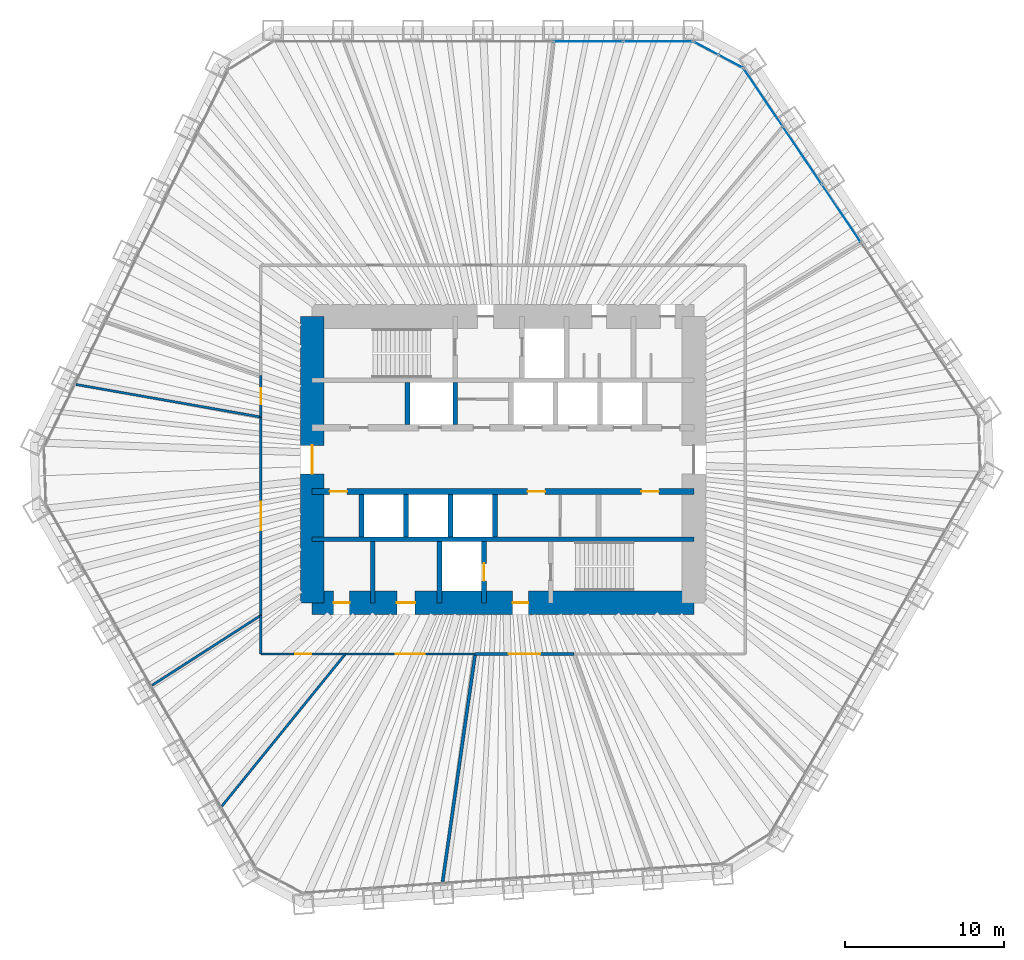
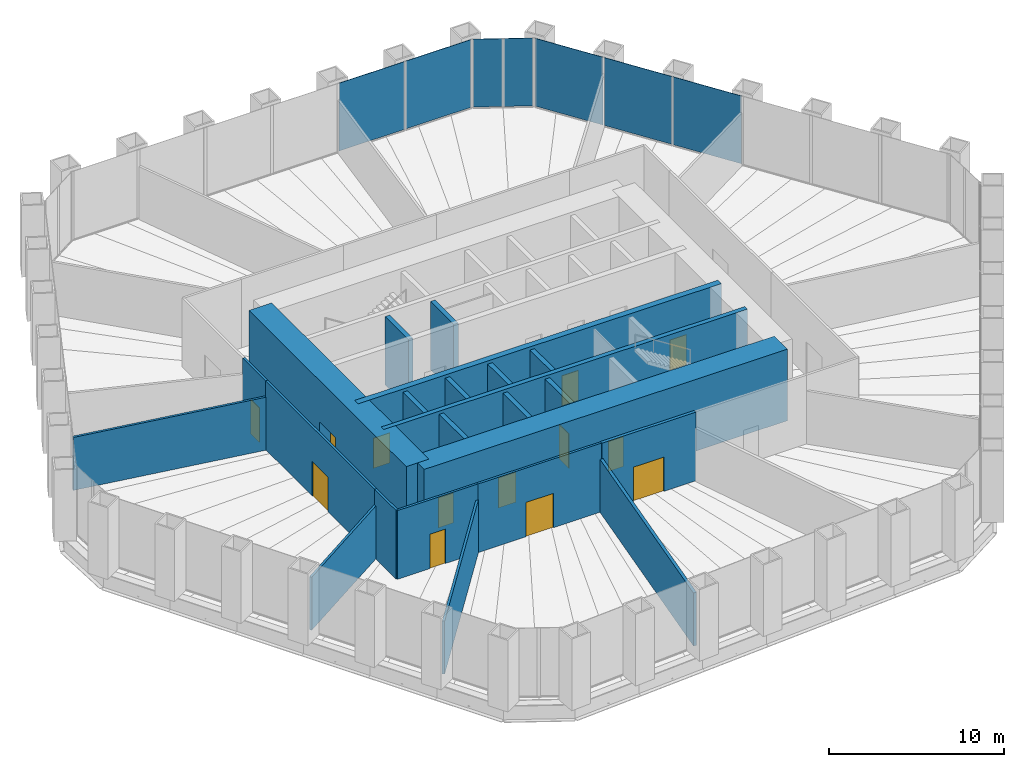
# One storey, part 10 of 13: 23 walls, 13 doors, 7 plates, 13 openings, 3 elements without a shape of their own.
"""IFC4 building model written with IfcOpenShell, lengths in metres."""

from ifc_helpers import new_model, si_unit, direction, frame, frame_2d, origin, origin_2d, place, context, subcontext, project, spatial, rectangle, extrude, material, layer, layer_set, type_object, element, fill, aggregate, save


model = new_model("IFC4")

# Units and contexts
model_context = context("Model", 3, precision=1e-05, world=origin(), true_north=direction((0.0, 1.0)))
body_context = subcontext(model_context, "Body", "Model", "MODEL_VIEW")
ifc_project = project(units=[si_unit("LENGTHUNIT", "METRE"), si_unit("AREAUNIT", "SQUARE_METRE"), si_unit("VOLUMEUNIT", "CUBIC_METRE"), si_unit("PLANEANGLEUNIT", "RADIAN"), si_unit("MASSUNIT", "GRAM", prefix="KILO")], contexts=[model_context])

# Site, building, storey
site_placement = place(None, origin())
site = spatial("IfcSite", under=ifc_project, at=site_placement, CompositionType="ELEMENT")
building_placement = place(site_placement, origin())
building = spatial("IfcBuilding", under=site, at=building_placement, Name="Qingtian Harvest Tower", CompositionType="ELEMENT")
storey_placement = place(building_placement, frame((0.0, 0.0, 87.0)))
storey = spatial("IfcBuildingStorey", under=building, at=storey_placement, Name="L17", CompositionType="ELEMENT", Elevation=87.0)

# Curtain wall, plates
ifc_material_1 = material(Name="Bronze-anodised aluminium curtain wall", Category="aluminium")
curtain_wall_type = type_object("IfcCurtainWallType", Name="Curtain wall CW2 farm reception", PredefinedType="USERDEFINED", material=ifc_material_1)
curtain_wall_1_placement = place(storey_placement, origin())
curtain_wall_1 = element("IfcCurtainWall", 1, at=curtain_wall_1_placement, inside=storey, type_object=curtain_wall_type, Name="Curtain wall CW2 L17 N0-5", ObjectType="RECESSED CURTAIN WALL", PredefinedType="USERDEFINED")
ifc_material_2 = material(Name="Bronze-tinted laminated insulating glass", Category="glass")
ifc_layer_1 = layer(ifc_material_2, 0.030029296875)
ifc_layer_set_1 = layer_set([ifc_layer_1], Name="Glazed panel CWP tinted IGU")
plate_type = type_object("IfcPlateType", Name="Glazed panel CWP tinted IGU", PredefinedType="CURTAIN_PANEL", material=ifc_layer_set_1)
plate_1_placement = place(storey_placement, frame((5.349365234375, 26.300048828125, 0.06494140625), z_axis=(0.0, 0.0, 1.0), x_axis=(1.0, 0.0, 0.0)))
plate_1 = element("IfcPlate", 2, at=plate_1_placement, type_object=plate_type, Name="CW2 panel 5.1", PredefinedType="CURTAIN_PANEL", context=body_context, shape_type="SweptSolid", body=[
    extrude(rectangle(XDim=4.339599609375, YDim=0.030029296875, at=origin_2d()), origin(), (0.0, 0.0, 1.0), 4.735107421875),
])
plate_2_placement = place(storey_placement, frame((9.737548828125, 26.300048828125, 0.06494140625), z_axis=(0.0, 0.0, 1.0), x_axis=(1.0, 0.0, 0.0)))
plate_2 = element("IfcPlate", 3, at=plate_2_placement, type_object=plate_type, Name="CW2 panel 6.1", PredefinedType="CURTAIN_PANEL", context=body_context, shape_type="SweptSolid", body=[
    extrude(rectangle(XDim=4.30712890625, YDim=0.030029296875, at=origin_2d()), origin(), (0.0, 0.0, 1.0), 4.735107421875),
])
aggregate(curtain_wall_1, [plate_1, plate_2])

curtain_wall_2_placement = place(storey_placement, origin())
curtain_wall_2 = element("IfcCurtainWall", 4, at=curtain_wall_2_placement, inside=storey, type_object=curtain_wall_type, Name="Curtain wall CW2 L17 NC", ObjectType="RECESSED CURTAIN WALL", PredefinedType="USERDEFINED")
plate_3_placement = place(storey_placement, frame((12.760986328125, 25.8720703125, 0.06494140625), z_axis=(0.0, 0.0, 1.0), x_axis=(0.882947592859, -0.469471562786, 0.0)))
plate_3 = element("IfcPlate", 5, at=plate_3_placement, type_object=plate_type, Name="CW2 panel 1.1", PredefinedType="CURTAIN_PANEL", context=body_context, shape_type="SweptSolid", body=[
    extrude(rectangle(XDim=1.69287109375, YDim=0.030029296875, at=origin_2d()), origin(), (0.0, 0.0, 1.0), 4.735107421875),
])
plate_4_placement = place(storey_placement, frame((14.31298828125, 25.046875, 0.06494140625), z_axis=(0.0, 0.0, 1.0), x_axis=(0.882947592859, -0.469471562786, 0.0)))
plate_4 = element("IfcPlate", 6, at=plate_4_placement, type_object=plate_type, Name="CW2 panel 2.1", PredefinedType="CURTAIN_PANEL", context=body_context, shape_type="SweptSolid", body=[
    extrude(rectangle(XDim=1.69287109375, YDim=0.030029296875, at=origin_2d()), origin(), (0.0, 0.0, 1.0), 4.735107421875),
])
aggregate(curtain_wall_2, [plate_3, plate_4])

curtain_wall_3_placement = place(storey_placement, origin())
curtain_wall_3 = element("IfcCurtainWall", 7, at=curtain_wall_3_placement, inside=storey, type_object=curtain_wall_type, Name="Curtain wall CW2 L17 NE0-5", ObjectType="RECESSED CURTAIN WALL", PredefinedType="USERDEFINED")
plate_5_placement = place(storey_placement, frame((16.3583984375, 22.779541015625, 0.06494140625), z_axis=(0.0, 0.0, 1.0), x_axis=(0.559192903471, -0.829037572555, 0.0)))
plate_5 = element("IfcPlate", 8, at=plate_5_placement, type_object=plate_type, Name="CW2 panel 1.1", PredefinedType="CURTAIN_PANEL", context=body_context, shape_type="SweptSolid", body=[
    extrude(rectangle(XDim=4.30712890625, YDim=0.030029296875, at=origin_2d()), origin(), (0.0, 0.0, 1.0), 4.735107421875),
])
plate_6_placement = place(storey_placement, frame((18.8125, 19.1416015625, 0.06494140625), z_axis=(0.0, 0.0, 1.0), x_axis=(0.559192903471, -0.829037572555, 0.0)))
plate_6 = element("IfcPlate", 9, at=plate_6_placement, type_object=plate_type, Name="CW2 panel 2.1", PredefinedType="CURTAIN_PANEL", context=body_context, shape_type="SweptSolid", body=[
    extrude(rectangle(XDim=4.339599609375, YDim=0.030029296875, at=origin_2d()), origin(), (0.0, 0.0, 1.0), 4.735107421875),
])
plate_7_placement = place(storey_placement, frame((21.275390625, 15.489990234375, 0.06494140625), z_axis=(0.0, 0.0, 1.0), x_axis=(0.559192903471, -0.829037572555, 0.0)))
plate_7 = element("IfcPlate", 10, at=plate_7_placement, type_object=plate_type, Name="CW2 panel 3.1", PredefinedType="CURTAIN_PANEL", context=body_context, shape_type="SweptSolid", body=[
    extrude(rectangle(XDim=4.339599609375, YDim=0.030029296875, at=origin_2d()), origin(), (0.0, 0.0, 1.0), 4.735107421875),
])
aggregate(curtain_wall_3, [plate_5, plate_6, plate_7])

# Wall
ifc_material_3 = material(Name="Concrete fc' 70 MPa", Category="concrete")
ifc_layer_2 = layer(ifc_material_3, 0.300048828125)
ifc_layer_set_2 = layer_set([ifc_layer_2], Name="Core inner wall RC5 300")
wall_type_1 = type_object("IfcWallType", Name="Core inner wall RC5 300", PredefinedType="SHEAR", material=ifc_layer_set_2)
wall_1_placement = place(storey_placement, frame((-12.0, -5.0, 0.0), z_axis=(0.0, 0.0, 1.0), x_axis=(1.0, 0.0, 0.0)))
element("IfcWall", 11, at=wall_1_placement, inside=storey, type_object=wall_type_1, Name="Core wall IS5 L17", PredefinedType="SHEAR", context=body_context, shape_type="SweptSolid", body=[
    extrude(rectangle(XDim=24.0, YDim=0.300048828125, at=frame_2d((12.0, 0.0))), origin(), (0.0, 0.0, 1.0), 5.0),
])

# Wall, openings, doors
ifc_material_4 = material(Name="Concrete fc' 70 MPa", Category="concrete")
ifc_layer_3 = layer(ifc_material_4, 0.39990234375)
ifc_layer_set_3 = layer_set([ifc_layer_3], Name="Core inner web RC6 400")
wall_type_2 = type_object("IfcWallType", Name="Core inner web RC6 400", PredefinedType="SHEAR", material=ifc_layer_set_3)
wall_2_placement = place(storey_placement, frame((-12.0, -2.0, 0.0), z_axis=(0.0, 0.0, 1.0), x_axis=(1.0, 0.0, 0.0)))
wall_2 = element("IfcWall", 12, at=wall_2_placement, inside=storey, type_object=wall_type_2, Name="Core wall IS2 L17", PredefinedType="SHEAR", context=body_context, shape_type="SweptSolid", body=[
    extrude(rectangle(XDim=24.0, YDim=0.39990234375, at=frame_2d((12.0, 0.0))), origin(), (0.0, 0.0, 1.0), 5.0),
])
opening_1_placement = place(wall_2_placement, frame((1.10009765625, 0.0, 0.0)))
opening_1 = element("IfcOpeningElement", 13, at=opening_1_placement, cuts=wall_2, Name="Opening FD4", PredefinedType="OPENING", context=body_context, shape_type="SweptSolid", body=[
    extrude(rectangle(XDim=1.10009765625, YDim=2.10009765625, at=frame_2d((0.550048828125, 1.050048828125))), frame((0.0, 0.2099609375, 0.0), z_axis=(0.0, -1.0, 0.0), x_axis=(1.0, 0.0, 0.0)), (0.0, 0.0, 1.0), 0.419921875),
])
opening_2_placement = place(wall_2_placement, frame((13.550048828125, 0.0, 0.0)))
opening_2 = element("IfcOpeningElement", 14, at=opening_2_placement, cuts=wall_2, Name="Opening FD4", PredefinedType="OPENING", context=body_context, shape_type="SweptSolid", body=[
    extrude(rectangle(XDim=1.10009765625, YDim=2.10009765625, at=frame_2d((0.550048828125, 1.050048828125))), frame((0.0, 0.2099609375, 0.0), z_axis=(0.0, -1.0, 0.0), x_axis=(1.0, 0.0, 0.0)), (0.0, 0.0, 1.0), 0.419921875),
])
opening_3_placement = place(wall_2_placement, frame((20.699951171875, 0.0, 0.0)))
opening_3 = element("IfcOpeningElement", 15, at=opening_3_placement, cuts=wall_2, Name="Opening FD4", PredefinedType="OPENING", context=body_context, shape_type="SweptSolid", body=[
    extrude(rectangle(XDim=1.10009765625, YDim=2.10009765625, at=frame_2d((0.550048828125, 1.050048828125))), frame((0.0, 0.2099609375, 0.0), z_axis=(0.0, -1.0, 0.0), x_axis=(1.0, 0.0, 0.0)), (0.0, 0.0, 1.0), 0.419921875),
])
ifc_material_5 = material(Name="Steel-faced door leaf", Category="steel")
door_type_1 = type_object("IfcDoorType", Name="Fire door FD4 single 2 HR", OperationType="SINGLE_SWING_LEFT", PredefinedType="DOOR", material=ifc_material_5)
door_1_placement = place(opening_1_placement, origin())
door_1 = element("IfcDoor", 16, at=door_1_placement, inside=storey, type_object=door_type_1, Name="RB door L17", OperationType="SINGLE_SWING_RIGHT", OverallHeight=2.10009765625, OverallWidth=1.10009765625, PredefinedType="DOOR", context=body_context, shape_type="SweptSolid", body=[
    extrude(rectangle(XDim=1.10009765625, YDim=2.10009765625, at=frame_2d((0.550048828125, 1.050048828125))), frame((0.0, 0.02490234375, 0.0), z_axis=(0.0, -1.0, 0.0), x_axis=(1.0, 0.0, 0.0)), (0.0, 0.0, 1.0), 0.050048828125),
])
fill(opening_1, door_1)
door_2_placement = place(opening_2_placement, origin())
door_2 = element("IfcDoor", 17, at=door_2_placement, inside=storey, type_object=door_type_1, Name="ELEC door L17", OperationType="SINGLE_SWING_RIGHT", OverallHeight=2.10009765625, OverallWidth=1.10009765625, PredefinedType="DOOR", context=body_context, shape_type="SweptSolid", body=[
    extrude(rectangle(XDim=1.10009765625, YDim=2.10009765625, at=frame_2d((0.550048828125, 1.050048828125))), frame((0.0, 0.02490234375, 0.0), z_axis=(0.0, -1.0, 0.0), x_axis=(1.0, 0.0, 0.0)), (0.0, 0.0, 1.0), 0.050048828125),
])
fill(opening_2, door_2)
door_3_placement = place(opening_3_placement, origin())
door_3 = element("IfcDoor", 18, at=door_3_placement, inside=storey, type_object=door_type_1, Name="DUCT door L17", OperationType="SINGLE_SWING_LEFT", OverallHeight=2.10009765625, OverallWidth=1.10009765625, PredefinedType="DOOR", context=body_context, shape_type="SweptSolid", body=[
    extrude(rectangle(XDim=1.10009765625, YDim=2.10009765625, at=frame_2d((0.550048828125, 1.050048828125))), frame((0.0, 0.02490234375, 0.0), z_axis=(0.0, -1.0, 0.0), x_axis=(1.0, 0.0, 0.0)), (0.0, 0.0, 1.0), 0.050048828125),
])
fill(opening_3, door_3)

# Walls
ifc_material_6 = material(Name="Precast concrete shaft panel", Category="concrete")
ifc_layer_4 = layer(ifc_material_6, 0.300048828125)
ifc_layer_set_4 = layer_set([ifc_layer_4], Name="Core shaft partition SW1 300")
wall_type_3 = type_object("IfcWallType", Name="Core shaft partition SW1 300", PredefinedType="PARTITIONING", material=ifc_layer_set_4)
for number, where, z_axis, x_axis, name in (
    (19, (-6.0, 2.199951171875, 0.0), (0.0, 0.0, 1.0), (0.0, 1.0, 0.0), "Core shaft partition XA1 L17"),
    (20, (-3.0, 2.199951171875, 0.0), (0.0, 0.0, 1.0), (0.0, 1.0, 0.0), "Core shaft partition XA2 L17"),
    (21, (-8.89990234375, -4.85009765625, 0.0), (0.0, 0.0, 1.0), (0.0, 1.0, 0.0), "Core shaft partition XB1 L17"),
    (22, (-6.10009765625, -4.85009765625, 0.0), (0.0, 0.0, 1.0), (0.0, 1.0, 0.0), "Core shaft partition XB2 L17"),
    (23, (-3.300048828125, -4.85009765625, 0.0), (0.0, 0.0, 1.0), (0.0, 1.0, 0.0), "Core shaft partition XB3 L17"),
    (24, (-0.5, -4.85009765625, 0.0), (0.0, 0.0, 1.0), (0.0, 1.0, 0.0), "Core shaft partition XB4 L17"),
):
    element("IfcWall", number, at=place(storey_placement, frame(where, z_axis=z_axis, x_axis=x_axis)), inside=storey, type_object=wall_type_3, Name=name, PredefinedType="PARTITIONING", context=body_context, shape_type="SweptSolid", body=[
        extrude(rectangle(XDim=2.650146484375, YDim=0.300048828125, at=frame_2d((1.3251953125, 0.0))), origin(), (0.0, 0.0, 1.0), 4.780029296875),
    ])
for number, where, z_axis, x_axis, name in (
    (25, (-8.199951171875, -9.0, 0.0), (0.0, 0.0, 1.0), (0.0, 1.0, 0.0), "Core shaft partition XS1 L17"),
    (26, (-4.0, -9.0, 0.0), (0.0, 0.0, 1.0), (0.0, 1.0, 0.0), "Core shaft partition XS2 L17"),
):
    element("IfcWall", number, at=place(storey_placement, frame(where, z_axis=z_axis, x_axis=x_axis)), inside=storey, type_object=wall_type_3, Name=name, PredefinedType="PARTITIONING", context=body_context, shape_type="SweptSolid", body=[
        extrude(rectangle(XDim=3.85009765625, YDim=0.300048828125, at=frame_2d((1.925048828125, 0.0))), origin(), (0.0, 0.0, 1.0), 4.780029296875),
    ])

# Wall, opening, door
wall_3_placement = place(storey_placement, frame((-1.199951171875, -9.0, 0.0), z_axis=(0.0, 0.0, 1.0), x_axis=(0.0, 1.0, 0.0)))
wall_3 = element("IfcWall", 27, at=wall_3_placement, inside=storey, type_object=wall_type_3, Name="Core shaft partition XS3 L17", PredefinedType="PARTITIONING", context=body_context, shape_type="SweptSolid", body=[
    extrude(rectangle(XDim=3.85009765625, YDim=0.300048828125, at=frame_2d((1.925048828125, 0.0))), origin(), (0.0, 0.0, 1.0), 4.780029296875),
])
opening_4_placement = place(wall_3_placement, frame((1.375, 0.0, 0.0)))
opening_4 = element("IfcOpeningElement", 28, at=opening_4_placement, cuts=wall_3, Name="Opening LD1", PredefinedType="OPENING", context=body_context, shape_type="SweptSolid", body=[
    extrude(rectangle(XDim=1.10009765625, YDim=2.39990234375, at=frame_2d((0.550048828125, 1.199951171875))), frame((0.0, 0.159912109375, 0.0), z_axis=(0.0, -1.0, 0.0), x_axis=(1.0, 0.0, 0.0)), (0.0, 0.0, 1.0), 0.320068359375),
])
ifc_material_7 = material(Name="Stainless steel lift landing door", Category="steel")
door_type_2 = type_object("IfcDoorType", Name="Lift landing door LD1 1 HR", OperationType="DOUBLE_DOOR_SLIDING", PredefinedType="DOOR", material=ifc_material_7)
door_4_placement = place(opening_4_placement, origin())
door_4 = element("IfcDoor", 29, at=door_4_placement, inside=storey, type_object=door_type_2, Name="FL2 landing door L17", OperationType="DOUBLE_DOOR_SLIDING", OverallHeight=2.39990234375, OverallWidth=1.10009765625, PredefinedType="DOOR", context=body_context, shape_type="SweptSolid", body=[
    extrude(rectangle(XDim=1.10009765625, YDim=2.39990234375, at=frame_2d((0.550048828125, 1.199951171875))), frame((0.0, 0.02490234375, 0.0), z_axis=(0.0, -1.0, 0.0), x_axis=(1.0, 0.0, 0.0)), (0.0, 0.0, 1.0), 0.050048828125),
])
fill(opening_4, door_4)

# Wall, openings, doors
ifc_material_8 = material(Name="Concrete fc' 70 MPa", Category="concrete")
ifc_layer_5 = layer(ifc_material_8, 1.5)
ifc_layer_set_5 = layer_set([ifc_layer_5], Name="Core wall RC1 1500")
wall_type_4 = type_object("IfcWallType", Name="Core wall RC1 1500", PredefinedType="SHEAR", material=ifc_layer_set_5)
wall_4_placement = place(storey_placement, frame((-12.0, -9.0, 0.0), z_axis=(0.0, 0.0, 1.0), x_axis=(1.0, 0.0, 0.0)))
wall_4 = element("IfcWall", 30, at=wall_4_placement, inside=storey, type_object=wall_type_4, Name="Core wall CS L17", PredefinedType="SHEAR", context=body_context, shape_type="SweptSolid", body=[
    extrude(rectangle(XDim=24.0, YDim=1.5, at=frame_2d((12.0, 0.0))), origin(), (0.0, 0.0, 1.0), 5.0),
])
opening_5_placement = place(wall_4_placement, frame((1.35009765625, 0.0, 0.0)))
opening_5 = element("IfcOpeningElement", 31, at=opening_5_placement, cuts=wall_4, Name="Opening FD1", PredefinedType="OPENING", context=body_context, shape_type="SweptSolid", body=[
    extrude(rectangle(XDim=1.0, YDim=2.10009765625, at=frame_2d((0.5, 1.050048828125))), frame((0.0, 0.760009765625, 0.0), z_axis=(0.0, -1.0, 0.0), x_axis=(1.0, 0.0, 0.0)), (0.0, 0.0, 1.0), 1.52001953125),
])
opening_6_placement = place(wall_4_placement, frame((5.324951171875, 0.0, 0.0)))
opening_6 = element("IfcOpeningElement", 32, at=opening_6_placement, cuts=wall_4, Name="Opening AD1", PredefinedType="OPENING", context=body_context, shape_type="SweptSolid", body=[
    extrude(rectangle(XDim=1.14990234375, YDim=2.10009765625, at=frame_2d((0.574951171875, 1.050048828125))), frame((0.0, 0.760009765625, 0.0), z_axis=(0.0, -1.0, 0.0), x_axis=(1.0, 0.0, 0.0)), (0.0, 0.0, 1.0), 1.52001953125),
])
opening_7_placement = place(wall_4_placement, frame((12.60009765625, 0.0, 0.0)))
opening_7 = element("IfcOpeningElement", 33, at=opening_7_placement, cuts=wall_4, Name="Opening FD1", PredefinedType="OPENING", context=body_context, shape_type="SweptSolid", body=[
    extrude(rectangle(XDim=1.0, YDim=2.10009765625, at=frame_2d((0.5, 1.050048828125))), frame((0.0, 0.760009765625, 0.0), z_axis=(0.0, -1.0, 0.0), x_axis=(1.0, 0.0, 0.0)), (0.0, 0.0, 1.0), 1.52001953125),
])
ifc_material_9 = material(Name="Laminated timber door leaf", Category="wood")
door_type_3 = type_object("IfcDoorType", Name="Accessible WC door AD1 single", OperationType="SINGLE_SWING_LEFT", PredefinedType="DOOR", material=ifc_material_9)
door_5_placement = place(opening_6_placement, origin())
door_5 = element("IfcDoor", 34, at=door_5_placement, inside=storey, type_object=door_type_3, Name="AWC door L17", OperationType="SINGLE_SWING_LEFT", OverallHeight=2.10009765625, OverallWidth=1.14990234375, PredefinedType="DOOR", context=body_context, shape_type="SweptSolid", body=[
    extrude(rectangle(XDim=1.14990234375, YDim=2.10009765625, at=frame_2d((0.574951171875, 1.050048828125))), frame((0.0, 0.02490234375, 0.0), z_axis=(0.0, -1.0, 0.0), x_axis=(1.0, 0.0, 0.0)), (0.0, 0.0, 1.0), 0.050048828125),
])
fill(opening_6, door_5)
ifc_material_10 = material(Name="Steel-faced door leaf", Category="steel")
door_type_4 = type_object("IfcDoorType", Name="Fire door FD1 single 1 HR", OperationType="SINGLE_SWING_LEFT", PredefinedType="DOOR", material=ifc_material_10)
door_6_placement = place(opening_5_placement, origin())
door_6 = element("IfcDoor", 35, at=door_6_placement, inside=storey, type_object=door_type_4, Name="CLN door L17", OperationType="SINGLE_SWING_RIGHT", OverallHeight=2.10009765625, OverallWidth=1.0, PredefinedType="DOOR", context=body_context, shape_type="SweptSolid", body=[
    extrude(rectangle(XDim=1.0, YDim=2.10009765625, at=frame_2d((0.5, 1.050048828125))), frame((0.0, 0.02490234375, 0.0), z_axis=(0.0, -1.0, 0.0), x_axis=(1.0, 0.0, 0.0)), (0.0, 0.0, 1.0), 0.050048828125),
])
fill(opening_5, door_6)
door_7_placement = place(opening_7_placement, origin())
door_7 = element("IfcDoor", 36, at=door_7_placement, inside=storey, type_object=door_type_4, Name="V2 door L17", OperationType="SINGLE_SWING_LEFT", OverallHeight=2.10009765625, OverallWidth=1.0, PredefinedType="DOOR", context=body_context, shape_type="SweptSolid", body=[
    extrude(rectangle(XDim=1.0, YDim=2.10009765625, at=frame_2d((0.5, 1.050048828125))), frame((0.0, 0.02490234375, 0.0), z_axis=(0.0, -1.0, 0.0), x_axis=(1.0, 0.0, 0.0)), (0.0, 0.0, 1.0), 0.050048828125),
])
fill(opening_7, door_7)

# Wall, opening, door
wall_5_placement = place(storey_placement, frame((-12.0, -9.0, 0.0), z_axis=(0.0, 0.0, 1.0), x_axis=(0.0, 1.0, 0.0)))
wall_5 = element("IfcWall", 37, at=wall_5_placement, inside=storey, type_object=wall_type_4, Name="Core wall CW L17", PredefinedType="SHEAR", context=body_context, shape_type="SweptSolid", body=[
    extrude(rectangle(XDim=18.0, YDim=1.5, at=frame_2d((9.0, 0.0))), origin(), (0.0, 0.0, 1.0), 5.0),
])
opening_8_placement = place(wall_5_placement, frame((8.10009765625, 0.0, 0.0)))
opening_8 = element("IfcOpeningElement", 38, at=opening_8_placement, cuts=wall_5, Name="Opening FD2", PredefinedType="OPENING", context=body_context, shape_type="SweptSolid", body=[
    extrude(rectangle(XDim=1.800048828125, YDim=2.10009765625, at=frame_2d((0.89990234375, 1.050048828125))), frame((0.0, 0.760009765625, 0.0), z_axis=(0.0, -1.0, 0.0), x_axis=(1.0, 0.0, 0.0)), (0.0, 0.0, 1.0), 1.52001953125),
])
ifc_material_11 = material(Name="Steel-faced door leaf", Category="steel")
door_type_5 = type_object("IfcDoorType", Name="Fire door FD2 double 1 HR", OperationType="DOUBLE_DOOR_DOUBLE_SWING", PredefinedType="DOOR", material=ifc_material_11)
door_8_placement = place(opening_8_placement, origin())
door_8 = element("IfcDoor", 39, at=door_8_placement, inside=storey, type_object=door_type_5, Name="LOBBY-W door L17", OperationType="DOUBLE_DOOR_DOUBLE_SWING", OverallHeight=2.10009765625, OverallWidth=1.800048828125, PredefinedType="DOOR", context=body_context, shape_type="SweptSolid", body=[
    extrude(rectangle(XDim=1.800048828125, YDim=2.10009765625, at=frame_2d((0.89990234375, 1.050048828125))), frame((0.0, 0.02490234375, 0.0), z_axis=(0.0, -1.0, 0.0), x_axis=(1.0, 0.0, 0.0)), (0.0, 0.0, 1.0), 0.050048828125),
])
fill(opening_8, door_8)

ifc_material_12 = material(Name="Blockwork fire wall", Category="masonry")
ifc_layer_6 = layer(ifc_material_12, 0.199951171875)
ifc_layer_set_6 = layer_set([ifc_layer_6], Name="Fire partition FW1 200")
wall_type_5 = type_object("IfcWallType", Name="Fire partition FW1 200", PredefinedType="PARTITIONING", material=ifc_layer_set_6)
wall_6_placement = place(storey_placement, frame((4.45458984375, -12.22509765625, 0.0), z_axis=(0.0, 0.0, 1.0), x_axis=(-1.0, 0.0, 0.0)))
wall_6 = element("IfcWall", 40, at=wall_6_placement, inside=storey, type_object=wall_type_5, Name="Cold room wall L17", PredefinedType="PARTITIONING", context=body_context, shape_type="SweptSolid", body=[
    extrude(rectangle(XDim=6.205322265625, YDim=0.199951171875, at=frame_2d((3.1025390625, 0.0))), origin(), (0.0, 0.0, 1.0), 4.800048828125),
])
opening_9_placement = place(wall_6_placement, frame((2.1025390625, 0.0, 0.0)))
opening_9 = element("IfcOpeningElement", 41, at=opening_9_placement, cuts=wall_6, Name="Opening FD3", PredefinedType="OPENING", context=body_context, shape_type="SweptSolid", body=[
    extrude(rectangle(XDim=2.0, YDim=2.39990234375, at=frame_2d((1.0, 1.199951171875))), frame((0.0, 0.10986328125, 0.0), z_axis=(0.0, -1.0, 0.0), x_axis=(1.0, 0.0, 0.0)), (0.0, 0.0, 1.0), 0.219970703125),
])
ifc_material_13 = material(Name="Steel-faced door leaf", Category="steel")
door_type_6 = type_object("IfcDoorType", Name="Fire door FD3 double 2 HR", OperationType="DOUBLE_DOOR_DOUBLE_SWING", PredefinedType="DOOR", material=ifc_material_13)
door_9_placement = place(opening_9_placement, origin())
door_9 = element("IfcDoor", 42, at=door_9_placement, inside=storey, type_object=door_type_6, Name="Cold room door L17", OperationType="DOUBLE_DOOR_DOUBLE_SWING", OverallHeight=2.39990234375, OverallWidth=2.0, PredefinedType="DOOR", context=body_context, shape_type="SweptSolid", body=[
    extrude(rectangle(XDim=2.0, YDim=2.39990234375, at=frame_2d((1.0, 1.199951171875))), frame((0.0, 0.02490234375, 0.0), z_axis=(0.0, -1.0, 0.0), x_axis=(1.0, 0.0, 0.0)), (0.0, 0.0, 1.0), 0.050048828125),
])
fill(opening_9, door_9)

# Wall
wall_7_placement = place(storey_placement, frame((-3.7998046875, -26.531982421875, 0.0), z_axis=(0.0, 0.0, 1.0), x_axis=(0.141776082978, 0.989898753558, 0.0)))
element("IfcWall", 43, at=wall_7_placement, inside=storey, type_object=wall_type_5, Name="Crate store wall L17", PredefinedType="PARTITIONING", context=body_context, shape_type="SweptSolid", body=[
    extrude(rectangle(XDim=14.452880859375, YDim=0.199951171875, at=frame_2d((7.2265625, 0.0))), origin(), (0.0, 0.0, 1.0), 3.699951171875),
])

# Wall, opening, door
ifc_material_14 = material(Name="Gypsum board on steel studs", Category="steel")
ifc_layer_7 = layer(ifc_material_14, 0.14990234375)
ifc_layer_set_7 = layer_set([ifc_layer_7], Name="Partition PT1 150")
wall_type_6 = type_object("IfcWallType", Name="Partition PT1 150", PredefinedType="PARTITIONING", material=ifc_layer_set_7)
wall_8_placement = place(storey_placement, frame((-1.750732421875, -12.22509765625, 0.0), z_axis=(0.0, 0.0, 1.0), x_axis=(-1.0, 0.0, 0.0)))
wall_8 = element("IfcWall", 44, at=wall_8_placement, inside=storey, type_object=wall_type_6, Name="Crate store wall L17", PredefinedType="PARTITIONING", context=body_context, shape_type="SweptSolid", body=[
    extrude(rectangle(XDim=8.168212890625, YDim=0.14990234375, at=frame_2d((4.083984375, 0.0))), origin(), (0.0, 0.0, 1.0), 4.800048828125),
])
opening_10_placement = place(wall_8_placement, frame((3.18408203125, 0.0, 0.0)))
opening_10 = element("IfcOpeningElement", 45, at=opening_10_placement, cuts=wall_8, Name="Opening D3", PredefinedType="OPENING", context=body_context, shape_type="SweptSolid", body=[
    extrude(rectangle(XDim=1.800048828125, YDim=2.39990234375, at=frame_2d((0.89990234375, 1.199951171875))), frame((0.0, 0.0849609375, 0.0), z_axis=(0.0, -1.0, 0.0), x_axis=(1.0, 0.0, 0.0)), (0.0, 0.0, 1.0), 0.169921875),
])
ifc_material_15 = material(Name="Laminated timber door leaf", Category="wood")
door_type_7 = type_object("IfcDoorType", Name="Room door D3 double", OperationType="DOUBLE_DOOR_DOUBLE_SWING", PredefinedType="DOOR", material=ifc_material_15)
door_10_placement = place(opening_10_placement, origin())
door_10 = element("IfcDoor", 46, at=door_10_placement, inside=storey, type_object=door_type_7, Name="Crate store door L17", OperationType="DOUBLE_DOOR_DOUBLE_SWING", OverallHeight=2.39990234375, OverallWidth=1.800048828125, PredefinedType="DOOR", context=body_context, shape_type="SweptSolid", body=[
    extrude(rectangle(XDim=1.800048828125, YDim=2.39990234375, at=frame_2d((0.89990234375, 1.199951171875))), frame((0.0, 0.02490234375, 0.0), z_axis=(0.0, -1.0, 0.0), x_axis=(1.0, 0.0, 0.0)), (0.0, 0.0, 1.0), 0.050048828125),
])
fill(opening_10, door_10)

# Wall
wall_9_placement = place(storey_placement, frame((-17.679931640625, -21.79052734375, 0.0), z_axis=(0.0, 0.0, 1.0), x_axis=(0.630058221556, 0.776547897718, 0.0)))
element("IfcWall", 47, at=wall_9_placement, inside=storey, type_object=wall_type_6, Name="Produce washing room wall L17", PredefinedType="PARTITIONING", context=body_context, shape_type="SweptSolid", body=[
    extrude(rectangle(XDim=12.31787109375, YDim=0.14990234375, at=frame_2d((6.158935546875, 0.0))), origin(), (0.0, 0.0, 1.0), 3.699951171875),
])

# Wall, opening, door
wall_10_placement = place(storey_placement, frame((-9.9189453125, -12.22509765625, 0.0), z_axis=(0.0, 0.0, 1.0), x_axis=(-1.0, 0.0, 0.0)))
wall_10 = element("IfcWall", 48, at=wall_10_placement, inside=storey, type_object=wall_type_6, Name="Produce washing room wall L17", PredefinedType="PARTITIONING", context=body_context, shape_type="SweptSolid", body=[
    extrude(rectangle(XDim=5.30615234375, YDim=0.14990234375, at=frame_2d((2.653076171875, 0.0))), origin(), (0.0, 0.0, 1.0), 4.800048828125),
])
opening_11_placement = place(wall_10_placement, frame((2.153076171875, 0.0, 0.0)))
opening_11 = element("IfcOpeningElement", 49, at=opening_11_placement, cuts=wall_10, Name="Opening D2", PredefinedType="OPENING", context=body_context, shape_type="SweptSolid", body=[
    extrude(rectangle(XDim=1.0, YDim=2.39990234375, at=frame_2d((0.5, 1.199951171875))), frame((0.0, 0.0849609375, 0.0), z_axis=(0.0, -1.0, 0.0), x_axis=(1.0, 0.0, 0.0)), (0.0, 0.0, 1.0), 0.169921875),
])
ifc_material_16 = material(Name="Laminated timber door leaf", Category="wood")
door_type_8 = type_object("IfcDoorType", Name="Room door D2 single", OperationType="SINGLE_SWING_LEFT", PredefinedType="DOOR", material=ifc_material_16)
door_11_placement = place(opening_11_placement, origin())
door_11 = element("IfcDoor", 50, at=door_11_placement, inside=storey, type_object=door_type_8, Name="Produce washing room door L17", OperationType="SINGLE_SWING_RIGHT", OverallHeight=2.39990234375, OverallWidth=1.0, PredefinedType="DOOR", context=body_context, shape_type="SweptSolid", body=[
    extrude(rectangle(XDim=1.0, YDim=2.39990234375, at=frame_2d((0.5, 1.199951171875))), frame((0.0, 0.02490234375, 0.0), z_axis=(0.0, -1.0, 0.0), x_axis=(1.0, 0.0, 0.0)), (0.0, 0.0, 1.0), 0.050048828125),
])
fill(opening_11, door_11)

# Walls
wall_11_placement = place(storey_placement, frame((-15.22509765625, -12.22509765625, 0.0), z_axis=(0.0, 0.0, 1.0), x_axis=(0.0, 1.0, 0.0)))
element("IfcWall", 51, at=wall_11_placement, inside=storey, type_object=wall_type_6, Name="Produce washing room wall L17", PredefinedType="PARTITIONING", context=body_context, shape_type="SweptSolid", body=[
    extrude(rectangle(XDim=2.4365234375, YDim=0.14990234375, at=frame_2d((1.21826171875, 0.0))), origin(), (0.0, 0.0, 1.0), 4.800048828125),
])
wall_12_placement = place(storey_placement, frame((-22.0634765625, -14.18505859375, 0.0), z_axis=(0.0, 0.0, 1.0), x_axis=(0.8411570088, 0.540790982309, 0.0)))
element("IfcWall", 52, at=wall_12_placement, inside=storey, type_object=wall_type_6, Name="Packing room wall L17", PredefinedType="PARTITIONING", context=body_context, shape_type="SweptSolid", body=[
    extrude(rectangle(XDim=8.129638671875, YDim=0.14990234375, at=frame_2d((4.06494140625, 0.0))), origin(), (0.0, 0.0, 1.0), 3.699951171875),
])

# Wall, opening, door
wall_13_placement = place(storey_placement, frame((-15.22509765625, -9.78857421875, 0.0), z_axis=(0.0, 0.0, 1.0), x_axis=(0.0, 1.0, 0.0)))
wall_13 = element("IfcWall", 53, at=wall_13_placement, inside=storey, type_object=wall_type_6, Name="Packing room wall L17", PredefinedType="PARTITIONING", context=body_context, shape_type="SweptSolid", body=[
    extrude(rectangle(XDim=12.467529296875, YDim=0.14990234375, at=frame_2d((6.23388671875, 0.0))), origin(), (0.0, 0.0, 1.0), 4.800048828125),
])
opening_12_placement = place(wall_13_placement, frame((5.333740234375, 0.0, 0.0)))
opening_12 = element("IfcOpeningElement", 54, at=opening_12_placement, cuts=wall_13, Name="Opening D3", PredefinedType="OPENING", context=body_context, shape_type="SweptSolid", body=[
    extrude(rectangle(XDim=1.800048828125, YDim=2.39990234375, at=frame_2d((0.89990234375, 1.199951171875))), frame((0.0, 0.0849609375, 0.0), z_axis=(0.0, -1.0, 0.0), x_axis=(1.0, 0.0, 0.0)), (0.0, 0.0, 1.0), 0.169921875),
])
door_12_placement = place(opening_12_placement, origin())
door_12 = element("IfcDoor", 55, at=door_12_placement, inside=storey, type_object=door_type_7, Name="Packing room door L17", OperationType="DOUBLE_DOOR_DOUBLE_SWING", OverallHeight=2.39990234375, OverallWidth=1.800048828125, PredefinedType="DOOR", context=body_context, shape_type="SweptSolid", body=[
    extrude(rectangle(XDim=1.800048828125, YDim=2.39990234375, at=frame_2d((0.89990234375, 1.199951171875))), frame((0.0, 0.02490234375, 0.0), z_axis=(0.0, -1.0, 0.0), x_axis=(1.0, 0.0, 0.0)), (0.0, 0.0, 1.0), 0.050048828125),
])
fill(opening_12, door_12)

# Wall
wall_14_placement = place(storey_placement, frame((-26.85009765625, 4.724609375, 0.0), z_axis=(0.0, 0.0, 1.0), x_axis=(0.984867773441, -0.173307440223, 0.0)))
element("IfcWall", 56, at=wall_14_placement, inside=storey, type_object=wall_type_6, Name="Gowning room wall L17", PredefinedType="PARTITIONING", context=body_context, shape_type="SweptSolid", body=[
    extrude(rectangle(XDim=11.8037109375, YDim=0.14990234375, at=frame_2d((5.90185546875, 0.0))), origin(), (0.0, 0.0, 1.0), 3.699951171875),
])

# Wall, opening, door
wall_15_placement = place(storey_placement, frame((-15.22509765625, 2.678955078125, 0.0), z_axis=(0.0, 0.0, 1.0), x_axis=(0.0, 1.0, 0.0)))
wall_15 = element("IfcWall", 57, at=wall_15_placement, inside=storey, type_object=wall_type_6, Name="Gowning room wall L17", PredefinedType="PARTITIONING", context=body_context, shape_type="SweptSolid", body=[
    extrude(rectangle(XDim=2.615966796875, YDim=0.14990234375, at=frame_2d((1.30810546875, 0.0))), origin(), (0.0, 0.0, 1.0), 4.800048828125),
])
opening_13_placement = place(wall_15_placement, frame((0.80810546875, 0.0, 0.0)))
opening_13 = element("IfcOpeningElement", 58, at=opening_13_placement, cuts=wall_15, Name="Opening D2", PredefinedType="OPENING", context=body_context, shape_type="SweptSolid", body=[
    extrude(rectangle(XDim=1.0, YDim=2.39990234375, at=frame_2d((0.5, 1.199951171875))), frame((0.0, 0.0849609375, 0.0), z_axis=(0.0, -1.0, 0.0), x_axis=(1.0, 0.0, 0.0)), (0.0, 0.0, 1.0), 0.169921875),
])
door_13_placement = place(opening_13_placement, origin())
door_13 = element("IfcDoor", 59, at=door_13_placement, inside=storey, type_object=door_type_8, Name="Gowning room door L17", OperationType="SINGLE_SWING_RIGHT", OverallHeight=2.39990234375, OverallWidth=1.0, PredefinedType="DOOR", context=body_context, shape_type="SweptSolid", body=[
    extrude(rectangle(XDim=1.0, YDim=2.39990234375, at=frame_2d((0.5, 1.199951171875))), frame((0.0, 0.02490234375, 0.0), z_axis=(0.0, -1.0, 0.0), x_axis=(1.0, 0.0, 0.0)), (0.0, 0.0, 1.0), 0.050048828125),
])
fill(opening_13, door_13)

save(model, "model.ifc")
